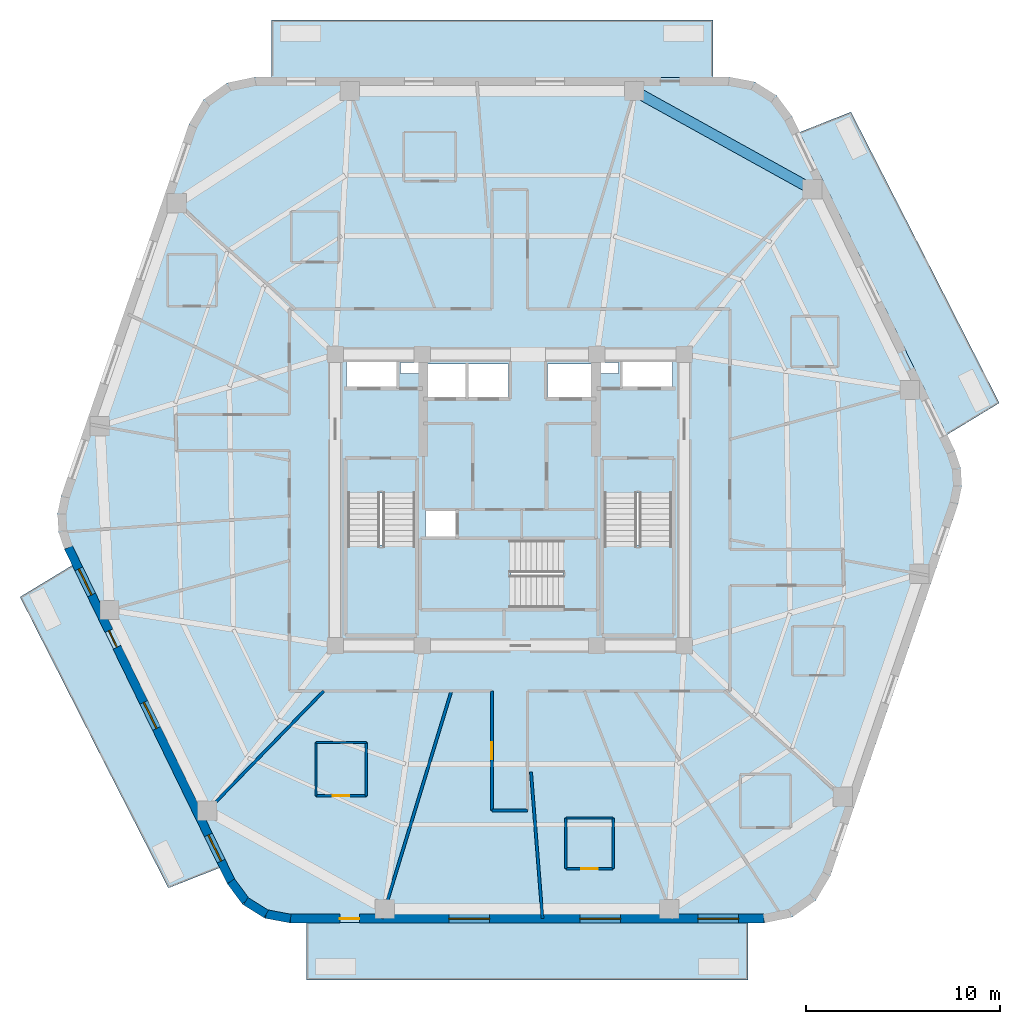
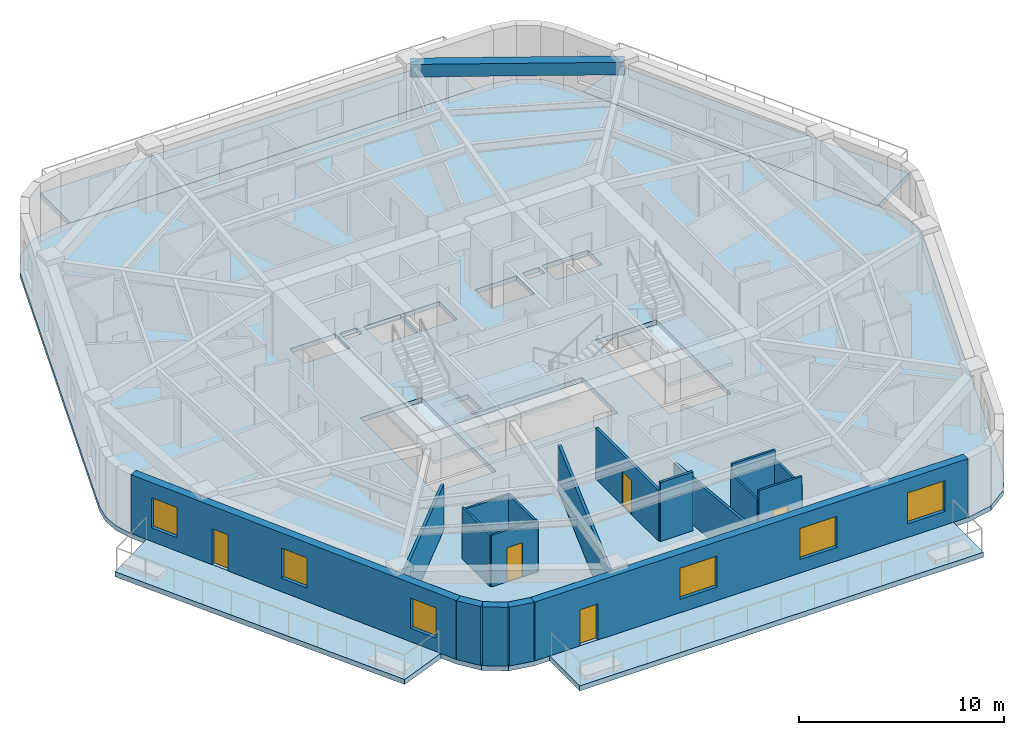
# One storey, part 2 of 10: 18 walls, 8 slabs, 6 windows, 5 doors, 1 beam, 11 openings, 3 elements without a shape of their own.
"""IFC4 building model written with IfcOpenShell, lengths in metres."""

from ifc_helpers import new_model, si_unit, direction, frame, frame_2d, origin, origin_2d, place, context, subcontext, project, spatial, polyline, rectangle, outline, extrude, material, layer, layer_set, material_profile, profile_set, type_object, element, fill, aggregate, save


model = new_model("IFC4")

# Units and contexts
model_context = context("Model", 3, precision=1e-05, world=origin(), true_north=direction((0.0, 1.0)))
body_context = subcontext(model_context, "Body", "Model", "MODEL_VIEW")
ifc_project = project(units=[si_unit("LENGTHUNIT", "METRE"), si_unit("AREAUNIT", "SQUARE_METRE"), si_unit("VOLUMEUNIT", "CUBIC_METRE"), si_unit("PLANEANGLEUNIT", "RADIAN"), si_unit("MASSUNIT", "GRAM", prefix="KILO")], contexts=[model_context])

# Site, building, storey
site_placement = place(None, origin())
site = spatial("IfcSite", under=ifc_project, at=site_placement, CompositionType="ELEMENT")
building_placement = place(site_placement, origin())
building = spatial("IfcBuilding", under=site, at=building_placement, Name="Kilnhurst Terrace Hotel", CompositionType="ELEMENT")
storey_placement = place(building_placement, frame((0.0, 0.0, 217.89990234375)))
storey = spatial("IfcBuildingStorey", under=building, at=storey_placement, Name="L54", CompositionType="ELEMENT", Elevation=217.89990234375)

# Beam
ifc_material_1 = material(Name="Concrete C50/60", Category="concrete")
ifc_material_profile = material_profile(ifc_material_1, rectangle(XDim=0.550048828125, YDim=0.75, at=origin_2d()), Name="RC550X750")
ifc_profile_set = profile_set([ifc_material_profile], Name="Concrete C50/60")
beam_type = type_object("IfcBeamType", Name="BM-SPN-550X750", PredefinedType="SPANDREL", material=ifc_profile_set)
beam_placement = place(storey_placement, frame((15.5869140625, 16.012939453125, 3.125), z_axis=(-0.874970333121, 0.484176534085, 0.0), x_axis=(-0.484176534085, -0.874970333121, 0.0)))
element("IfcBeam", 1, at=beam_placement, inside=storey, type_object=beam_type, Name="L54 Perimeter Spandrel Beam 6", PredefinedType="SPANDREL", context=body_context, shape_type="SweptSolid", body=[
    extrude(rectangle(XDim=0.550048828125, YDim=0.75, at=origin_2d()), origin(), (0.0, 0.0, 1.0), 10.465576171875),
])

# Slabs
ifc_layer_1 = layer(ifc_material_1, 0.300048828125, Name="Concrete C50/60")
ifc_layer_set_1 = layer_set([ifc_layer_1], Name="Concrete C50/60")
slab_type_1 = type_object("IfcSlabType", Name="SLB-BAL-300", PredefinedType="FLOOR", material=ifc_layer_set_1)
slab_1_placement = place(storey_placement, frame((0.0, 0.0, -0.2998046875)))
element("IfcSlab", 2, at=slab_1_placement, inside=storey, type_object=slab_type_1, Name="L54 Cantilevered Planted Terrace Slab BAL-L1A", PredefinedType="FLOOR", context=body_context, shape_type="SweptSolid", body=[
    extrude(outline(polyline([(21.440185546875, 12.465576171875), (25.237548828125, 5.0), (22.527587890625, 3.356201171875), (14.93505859375, 18.95068359375), (17.5888671875, 20.0), (21.440185546875, 12.465576171875)])), origin(), (0.0, 0.0, 1.0), 0.2998046875),
])
slab_2_placement = place(storey_placement, frame((0.0, 0.0, -0.2998046875)))
element("IfcSlab", 3, at=slab_2_placement, inside=storey, type_object=slab_type_1, Name="L54 Cantilevered Planted Terrace Slab BAL-L1B", PredefinedType="FLOOR", context=body_context, shape_type="SweptSolid", body=[
    extrude(outline(polyline([(-12.27490234375, 21.780029296875), (-12.27490234375, 24.739990234375), (10.46875, 24.739990234375), (10.46875, 21.780029296875), (-12.27490234375, 21.780029296875)])), origin(), (0.0, 0.0, 1.0), 0.2998046875),
])
slab_3_placement = place(storey_placement, frame((0.0, 0.0, -0.2998046875)))
element("IfcSlab", 4, at=slab_3_placement, inside=storey, type_object=slab_type_1, Name="L54 Cantilevered Planted Terrace Slab BAL-L2A", PredefinedType="FLOOR", context=body_context, shape_type="SweptSolid", body=[
    extrude(outline(polyline([(-25.237548828125, -5.0), (-22.527587890625, -3.356201171875), (-14.93505859375, -18.95068359375), (-17.5888671875, -20.0), (-21.440185546875, -12.465576171875), (-25.237548828125, -5.0)])), origin(), (0.0, 0.0, 1.0), 0.2998046875),
])
slab_4_placement = place(storey_placement, frame((0.0, 0.0, -0.2998046875)))
element("IfcSlab", 5, at=slab_4_placement, inside=storey, type_object=slab_type_1, Name="L54 Cantilevered Planted Terrace Slab BAL-L2B", PredefinedType="FLOOR", context=body_context, shape_type="SweptSolid", body=[
    extrude(outline(polyline([(12.27490234375, -21.780029296875), (12.27490234375, -24.739990234375), (-10.46875, -24.739990234375), (-10.46875, -21.780029296875), (12.27490234375, -21.780029296875)])), origin(), (0.0, 0.0, 1.0), 0.2998046875),
])
ifc_layer_2 = layer(ifc_material_1, 0.280029296875, Name="Concrete C50/60")
ifc_layer_set_2 = layer_set([ifc_layer_2], Name="Concrete C50/60")
slab_type_2 = type_object("IfcSlabType", Name="SLB-FLR-280", PredefinedType="FLOOR", material=ifc_layer_set_2)
slab_5_placement = place(storey_placement, frame((0.0, 0.0, -0.27978515625)))
element("IfcSlab", 6, at=slab_5_placement, inside=storey, type_object=slab_type_2, Name="L54 Structural Floor Slab", PredefinedType="FLOOR", context=body_context, shape_type="SweptSolid", body=[
    extrude(outline(polyline([(-14.555419921875, -19.77587890625), (-13.759765625, -20.845947265625), (-12.629150390625, -21.552978515625), (-11.318603515625, -21.800048828125), (13.124755859375, -21.800048828125), (14.5703125, -21.4970703125), (15.772705078125, -20.638916015625), (16.529296875, -19.370361328125), (23.1162109375, -0.208740234375), (23.302978515625, 0.710693359375), (23.24560546875, 1.6474609375), (22.948486328125, 2.537353515625), (14.555419921875, 19.77587890625), (13.759765625, 20.845947265625), (12.629150390625, 21.552978515625), (11.318603515625, 21.800048828125), (-13.124755859375, 21.800048828125), (-14.5703125, 21.4970703125), (-15.772705078125, 20.638916015625), (-16.529296875, 19.370361328125), (-23.1162109375, 0.208740234375), (-23.302978515625, -0.710693359375), (-23.24560546875, -1.6474609375), (-22.948486328125, -2.537353515625), (-14.555419921875, -19.77587890625)]), holes=[polyline([(-8.35009765625, 0.35498046875), (-4.8798828125, 0.35498046875), (-4.8798828125, -6.89990234375), (-8.35009765625, -6.89990234375), (-8.35009765625, 0.35498046875)]), polyline([(-2.800048828125, -1.89990234375), (-4.35009765625, -1.89990234375), (-4.35009765625, -0.550048828125), (-2.800048828125, -0.550048828125), (-2.800048828125, -1.89990234375)]), polyline([(-2.25, 5.25), (-4.300048828125, 5.25), (-4.300048828125, 7.0), (-2.25, 7.0), (-2.25, 5.25)]), polyline([(-2.1201171875, 5.25), (-2.1201171875, 7.0), (-0.050048828125, 7.0), (-0.050048828125, 5.25), (-2.1201171875, 5.25)]), polyline([(-8.39990234375, 5.75), (-8.39990234375, 7.14990234375), (-5.800048828125, 7.14990234375), (-5.800048828125, 5.75), (-8.39990234375, 5.75)]), polyline([(-4.659912109375, 6.52001953125), (-5.6201171875, 6.52001953125), (-5.6201171875, 7.080078125), (-4.659912109375, 7.080078125), (-4.659912109375, 6.52001953125)]), polyline([(2.7548828125, -5.550048828125), (-4.5, -5.550048828125), (-4.5, -2.080078125), (2.7548828125, -2.080078125), (2.7548828125, -5.550048828125)]), polyline([(8.35009765625, 0.35498046875), (8.35009765625, -6.89990234375), (4.8798828125, -6.89990234375), (4.8798828125, 0.35498046875), (8.35009765625, 0.35498046875)]), polyline([(4.300048828125, 5.25), (1.949951171875, 5.25), (1.949951171875, 7.0), (4.300048828125, 7.0), (4.300048828125, 5.25)]), polyline([(5.800048828125, 5.75), (5.800048828125, 7.14990234375), (8.39990234375, 7.14990234375), (8.39990234375, 5.75), (5.800048828125, 5.75)]), polyline([(4.659912109375, 6.52001953125), (4.659912109375, 7.080078125), (5.6201171875, 7.080078125), (5.6201171875, 6.52001953125), (4.659912109375, 6.52001953125)])]), origin(), (0.0, 0.0, 1.0), 0.27978515625),
])

# Stair, slab
stair_type = type_object("IfcStairType", Name="STR-CORE-1660", PredefinedType="HALF_TURN_STAIR", material=ifc_material_1)
stair_1_placement = place(storey_placement, origin())
stair_1 = element("IfcStair", 7, at=stair_1_placement, inside=storey, type_object=stair_type, Name="L54 ST-1", PredefinedType="HALF_TURN_STAIR")
ifc_layer_3 = layer(ifc_material_1, 0.199951171875, Name="Concrete C50/60")
ifc_layer_set_3 = layer_set([ifc_layer_3], Name="Concrete C50/60")
slab_type_3 = type_object("IfcSlabType", Name="SLB-ST-LND-200", PredefinedType="LANDING", material=ifc_layer_set_3)
slab_6_placement = place(storey_placement, frame((0.0, 0.0, 1.7001953125)))
slab_6 = element("IfcSlab", 8, at=slab_6_placement, type_object=slab_type_3, Name="ST-1 landing 1", PredefinedType="LANDING", context=body_context, shape_type="SweptSolid", body=[
    extrude(outline(polyline([(-8.429931640625, -2.330078125), (-4.800048828125, -2.330078125), (-4.800048828125, -6.97998046875), (-8.429931640625, -6.97998046875), (-8.429931640625, -2.330078125)])), origin(), (0.0, 0.0, 1.0), 0.199951171875),
])
aggregate(stair_1, [slab_6])

stair_2_placement = place(storey_placement, origin())
stair_2 = element("IfcStair", 9, at=stair_2_placement, inside=storey, type_object=stair_type, Name="L54 ST-2", PredefinedType="HALF_TURN_STAIR")
slab_7_placement = place(storey_placement, frame((0.0, 0.0, 1.7001953125)))
slab_7 = element("IfcSlab", 10, at=slab_7_placement, type_object=slab_type_3, Name="ST-2 landing 1", PredefinedType="LANDING", context=body_context, shape_type="SweptSolid", body=[
    extrude(outline(polyline([(4.800048828125, -2.330078125), (8.429931640625, -2.330078125), (8.429931640625, -6.97998046875), (4.800048828125, -6.97998046875), (4.800048828125, -2.330078125)])), origin(), (0.0, 0.0, 1.0), 0.199951171875),
])
aggregate(stair_2, [slab_7])

stair_3_placement = place(storey_placement, origin())
stair_3 = element("IfcStair", 11, at=stair_3_placement, inside=storey, type_object=stair_type, Name="L54 ST-3", PredefinedType="HALF_TURN_STAIR")
slab_8_placement = place(storey_placement, frame((0.0, 0.0, 1.7001953125)))
slab_8 = element("IfcSlab", 12, at=slab_8_placement, type_object=slab_type_3, Name="ST-3 landing 1", PredefinedType="LANDING", context=body_context, shape_type="SweptSolid", body=[
    extrude(outline(polyline([(0.070068359375, -2.0), (0.070068359375, -5.6298828125), (-4.580078125, -5.6298828125), (-4.580078125, -2.0), (0.070068359375, -2.0)])), origin(), (0.0, 0.0, 1.0), 0.199951171875),
])
aggregate(stair_3, [slab_8])

# Walls
ifc_material_2 = material(Name="Precast concrete C40/50", Category="concrete")
ifc_layer_4 = layer(ifc_material_2, 0.449951171875, Name="Precast concrete C40/50")
ifc_layer_set_4 = layer_set([ifc_layer_4], Name="Precast concrete C40/50")
wall_type_1 = type_object("IfcWallType", Name="WL-BRK-450", PredefinedType="SOLIDWALL", material=ifc_layer_set_4)
wall_1_placement = place(storey_placement, frame((-14.3623046875, -19.658447265625, 0.0), z_axis=(0.0, 0.0, 1.0), x_axis=(0.596642462792, -0.80250717853, 0.0)))
element("IfcWall", 13, at=wall_1_placement, inside=storey, type_object=wall_type_1, Name="L54 Rounded Corner Brick Wall C1.1", PredefinedType="SOLIDWALL", context=body_context, shape_type="SweptSolid", body=[
    extrude(rectangle(XDim=1.27001953125, YDim=0.449951171875, at=frame_2d((0.635009765625, 0.0))), origin(), (0.0, 0.0, 1.0), 3.5),
])
wall_2_placement = place(storey_placement, frame((-13.6044921875, -20.677734375, 0.0), z_axis=(0.0, 0.0, 1.0), x_axis=(0.847910404124, -0.53013955387, 0.0)))
element("IfcWall", 14, at=wall_2_placement, inside=storey, type_object=wall_type_1, Name="L54 Rounded Corner Brick Wall C1.2", PredefinedType="SOLIDWALL", context=body_context, shape_type="SweptSolid", body=[
    extrude(rectangle(XDim=1.24853515625, YDim=0.449951171875, at=frame_2d((0.624267578125, 0.0))), origin(), (0.0, 0.0, 1.0), 3.5),
])
wall_3_placement = place(storey_placement, frame((-12.5458984375, -21.339599609375, 0.0), z_axis=(0.0, 0.0, 1.0), x_axis=(0.982686750835, -0.18527479519, 0.0)))
element("IfcWall", 15, at=wall_3_placement, inside=storey, type_object=wall_type_1, Name="L54 Rounded Corner Brick Wall C1.3", PredefinedType="SOLIDWALL", context=body_context, shape_type="SweptSolid", body=[
    extrude(rectangle(XDim=1.270263671875, YDim=0.449951171875, at=frame_2d((0.63525390625, 0.0))), origin(), (0.0, 0.0, 1.0), 3.5),
])

# Wall, openings, door, windows
wall_4_placement = place(storey_placement, frame((-11.297607421875, -21.574951171875, 0.0), z_axis=(0.0, 0.0, 1.0), x_axis=(1.0, 0.0, 0.0)))
wall_4 = element("IfcWall", 16, at=wall_4_placement, inside=storey, type_object=wall_type_1, Name="L54 Exterior Brick Facade Wall F1", PredefinedType="SOLIDWALL", context=body_context, shape_type="SweptSolid", body=[
    extrude(rectangle(XDim=24.399169921875, YDim=0.449951171875, at=frame_2d((12.19970703125, 0.0))), origin(), (0.0, 0.0, 1.0), 3.5),
])
opening_1_placement = place(wall_4_placement, frame((2.550048828125, 0.0, 0.0)))
opening_1 = element("IfcOpeningElement", 17, at=opening_1_placement, cuts=wall_4, Name="Opening BD-1000", PredefinedType="OPENING", context=body_context, shape_type="SweptSolid", body=[
    extrude(rectangle(XDim=1.0, YDim=2.14990234375, at=frame_2d((0.5, 1.074951171875))), frame((0.0, 0.23486328125, 0.0), z_axis=(0.0, -1.0, 0.0), x_axis=(1.0, 0.0, 0.0)), (0.0, 0.0, 1.0), 0.469970703125),
])
opening_2_placement = place(wall_4_placement, frame((8.1689453125, 0.0, 0.800048828125)))
opening_2 = element("IfcOpeningElement", 18, at=opening_2_placement, cuts=wall_4, Name="Opening W-04", PredefinedType="OPENING", context=body_context, shape_type="SweptSolid", body=[
    extrude(rectangle(XDim=2.10009765625, YDim=1.85009765625, at=frame_2d((1.050048828125, 0.925048828125))), frame((0.0, 0.23486328125, 0.0), z_axis=(0.0, -1.0, 0.0), x_axis=(1.0, 0.0, 0.0)), (0.0, 0.0, 1.0), 0.469970703125),
])
opening_3_placement = place(wall_4_placement, frame((14.922119140625, 0.0, 0.800048828125)))
opening_3 = element("IfcOpeningElement", 19, at=opening_3_placement, cuts=wall_4, Name="Opening W-04", PredefinedType="OPENING", context=body_context, shape_type="SweptSolid", body=[
    extrude(rectangle(XDim=2.10009765625, YDim=1.85009765625, at=frame_2d((1.050048828125, 0.925048828125))), frame((0.0, 0.23486328125, 0.0), z_axis=(0.0, -1.0, 0.0), x_axis=(1.0, 0.0, 0.0)), (0.0, 0.0, 1.0), 0.469970703125),
])
opening_4_placement = place(wall_4_placement, frame((20.99609375, 0.0, 0.800048828125)))
opening_4 = element("IfcOpeningElement", 20, at=opening_4_placement, cuts=wall_4, Name="Opening W-04", PredefinedType="OPENING", context=body_context, shape_type="SweptSolid", body=[
    extrude(rectangle(XDim=2.10009765625, YDim=1.85009765625, at=frame_2d((1.050048828125, 0.925048828125))), frame((0.0, 0.23486328125, 0.0), z_axis=(0.0, -1.0, 0.0), x_axis=(1.0, 0.0, 0.0)), (0.0, 0.0, 1.0), 0.469970703125),
])
ifc_material_3 = material(Name="Thermally Broken Bronze Aluminium Alloy 6063-T6 and Laminated Glass", Category="aluminium")
door_type_1 = type_object("IfcDoorType", Name="DR-EXT-BAL-1000", OperationType="NOTDEFINED", PredefinedType="DOOR", material=ifc_material_3)
door_1_placement = place(opening_1_placement, origin())
door_1 = element("IfcDoor", 21, at=door_1_placement, inside=storey, type_object=door_type_1, Name="L54 Planted Balcony Door BAL-L2B", OperationType="SINGLE_SWING_LEFT", OverallHeight=2.14990234375, OverallWidth=1.0, PredefinedType="DOOR", context=body_context, shape_type="SweptSolid", body=[
    extrude(rectangle(XDim=1.0, YDim=2.14990234375, at=frame_2d((0.5, 1.074951171875))), frame((0.0, 0.02490234375, 0.0), z_axis=(0.0, -1.0, 0.0), x_axis=(1.0, 0.0, 0.0)), (0.0, 0.0, 1.0), 0.050048828125),
])
fill(opening_1, door_1)
ifc_material_4 = material(Name="Thermally Broken Bronze Aluminium Alloy 6063-T6 and Low-E Glass", Category="aluminium")
window_type_1 = type_object("IfcWindowType", Name="WIN-2100X1850", PartitioningType="SINGLE_PANEL", PredefinedType="WINDOW", material=ifc_material_4)
window_1_placement = place(opening_2_placement, origin())
window_1 = element("IfcWindow", 22, at=window_1_placement, inside=storey, type_object=window_type_1, Name="L54 Deep-Set Masonry Window F1.1", OverallHeight=1.85009765625, OverallWidth=2.10009765625, PartitioningType="SINGLE_PANEL", PredefinedType="WINDOW", context=body_context, shape_type="SweptSolid", body=[
    extrude(rectangle(XDim=2.10009765625, YDim=1.85009765625, at=frame_2d((1.050048828125, 0.925048828125))), frame((0.0, 0.030029296875, 0.0), z_axis=(0.0, -1.0, 0.0), x_axis=(1.0, 0.0, 0.0)), (0.0, 0.0, 1.0), 0.06005859375),
])
fill(opening_2, window_1)
window_2_placement = place(opening_3_placement, origin())
window_2 = element("IfcWindow", 23, at=window_2_placement, inside=storey, type_object=window_type_1, Name="L54 Deep-Set Masonry Window F1.2", OverallHeight=1.85009765625, OverallWidth=2.10009765625, PartitioningType="SINGLE_PANEL", PredefinedType="WINDOW", context=body_context, shape_type="SweptSolid", body=[
    extrude(rectangle(XDim=2.10009765625, YDim=1.85009765625, at=frame_2d((1.050048828125, 0.925048828125))), frame((0.0, 0.030029296875, 0.0), z_axis=(0.0, -1.0, 0.0), x_axis=(1.0, 0.0, 0.0)), (0.0, 0.0, 1.0), 0.06005859375),
])
fill(opening_3, window_2)
window_3_placement = place(opening_4_placement, origin())
window_3 = element("IfcWindow", 24, at=window_3_placement, inside=storey, type_object=window_type_1, Name="L54 Deep-Set Masonry Window F1.3", OverallHeight=1.85009765625, OverallWidth=2.10009765625, PartitioningType="SINGLE_PANEL", PredefinedType="WINDOW", context=body_context, shape_type="SweptSolid", body=[
    extrude(rectangle(XDim=2.10009765625, YDim=1.85009765625, at=frame_2d((1.050048828125, 0.925048828125))), frame((0.0, 0.030029296875, 0.0), z_axis=(0.0, -1.0, 0.0), x_axis=(1.0, 0.0, 0.0)), (0.0, 0.0, 1.0), 0.06005859375),
])
fill(opening_4, window_3)

wall_5_placement = place(storey_placement, frame((-22.73974609375, -2.4521484375, 0.0), z_axis=(0.0, 0.0, 1.0), x_axis=(0.437753424814, -0.899095066755, 0.0)))
wall_5 = element("IfcWall", 25, at=wall_5_placement, inside=storey, type_object=wall_type_1, Name="L54 Exterior Brick Facade Wall F6", PredefinedType="SOLIDWALL", context=body_context, shape_type="SweptSolid", body=[
    extrude(rectangle(XDim=19.137451171875, YDim=0.449951171875, at=frame_2d((9.56884765625, 0.0))), origin(), (0.0, 0.0, 1.0), 3.5),
])
opening_5_placement = place(wall_5_placement, frame((4.762939453125, 0.0, 0.0)))
opening_5 = element("IfcOpeningElement", 26, at=opening_5_placement, cuts=wall_5, Name="Opening BD-950", PredefinedType="OPENING", context=body_context, shape_type="SweptSolid", body=[
    extrude(rectangle(XDim=0.949951171875, YDim=2.14990234375, at=frame_2d((0.47509765625, 1.074951171875))), frame((0.0, 0.23486328125, 0.0), z_axis=(0.0, -1.0, 0.0), x_axis=(1.0, 0.0, 0.0)), (0.0, 0.0, 1.0), 0.469970703125),
])
opening_6_placement = place(wall_5_placement, frame((1.216064453125, 0.0, 0.800048828125)))
opening_6 = element("IfcOpeningElement", 27, at=opening_6_placement, cuts=wall_5, Name="Opening W-02", PredefinedType="OPENING", context=body_context, shape_type="SweptSolid", body=[
    extrude(rectangle(XDim=1.5, YDim=1.800048828125, at=frame_2d((0.75, 0.89990234375))), frame((0.0, 0.23486328125, 0.0), z_axis=(0.0, -1.0, 0.0), x_axis=(1.0, 0.0, 0.0)), (0.0, 0.0, 1.0), 0.469970703125),
])
opening_7_placement = place(wall_5_placement, frame((8.8701171875, 0.0, 0.800048828125)))
opening_7 = element("IfcOpeningElement", 28, at=opening_7_placement, cuts=wall_5, Name="Opening W-02", PredefinedType="OPENING", context=body_context, shape_type="SweptSolid", body=[
    extrude(rectangle(XDim=1.5, YDim=1.800048828125, at=frame_2d((0.75, 0.89990234375))), frame((0.0, 0.23486328125, 0.0), z_axis=(0.0, -1.0, 0.0), x_axis=(1.0, 0.0, 0.0)), (0.0, 0.0, 1.0), 0.469970703125),
])
opening_8_placement = place(wall_5_placement, frame((16.472900390625, 0.0, 0.800048828125)))
opening_8 = element("IfcOpeningElement", 29, at=opening_8_placement, cuts=wall_5, Name="Opening W-02", PredefinedType="OPENING", context=body_context, shape_type="SweptSolid", body=[
    extrude(rectangle(XDim=1.5, YDim=1.800048828125, at=frame_2d((0.75, 0.89990234375))), frame((0.0, 0.23486328125, 0.0), z_axis=(0.0, -1.0, 0.0), x_axis=(1.0, 0.0, 0.0)), (0.0, 0.0, 1.0), 0.469970703125),
])
door_type_2 = type_object("IfcDoorType", Name="DR-EXT-BAL-950", OperationType="NOTDEFINED", PredefinedType="DOOR", material=ifc_material_3)
door_2_placement = place(opening_5_placement, origin())
door_2 = element("IfcDoor", 30, at=door_2_placement, inside=storey, type_object=door_type_2, Name="L54 Planted Balcony Door BAL-L2A", OperationType="SINGLE_SWING_RIGHT", OverallHeight=2.14990234375, OverallWidth=0.949951171875, PredefinedType="DOOR", context=body_context, shape_type="SweptSolid", body=[
    extrude(rectangle(XDim=0.949951171875, YDim=2.14990234375, at=frame_2d((0.47509765625, 1.074951171875))), frame((0.0, 0.02490234375, 0.0), z_axis=(0.0, -1.0, 0.0), x_axis=(1.0, 0.0, 0.0)), (0.0, 0.0, 1.0), 0.050048828125),
])
fill(opening_5, door_2)
window_type_2 = type_object("IfcWindowType", Name="WIN-1500X1800", PartitioningType="SINGLE_PANEL", PredefinedType="WINDOW", material=ifc_material_4)
window_4_placement = place(opening_6_placement, origin())
window_4 = element("IfcWindow", 31, at=window_4_placement, inside=storey, type_object=window_type_2, Name="L54 Deep-Set Masonry Window F6.1", OverallHeight=1.800048828125, OverallWidth=1.5, PartitioningType="SINGLE_PANEL", PredefinedType="WINDOW", context=body_context, shape_type="SweptSolid", body=[
    extrude(rectangle(XDim=1.5, YDim=1.800048828125, at=frame_2d((0.75, 0.89990234375))), frame((0.0, 0.030029296875, 0.0), z_axis=(0.0, -1.0, 0.0), x_axis=(1.0, 0.0, 0.0)), (0.0, 0.0, 1.0), 0.06005859375),
])
fill(opening_6, window_4)
window_5_placement = place(opening_7_placement, origin())
window_5 = element("IfcWindow", 32, at=window_5_placement, inside=storey, type_object=window_type_2, Name="L54 Deep-Set Masonry Window F6.2", OverallHeight=1.800048828125, OverallWidth=1.5, PartitioningType="SINGLE_PANEL", PredefinedType="WINDOW", context=body_context, shape_type="SweptSolid", body=[
    extrude(rectangle(XDim=1.5, YDim=1.800048828125, at=frame_2d((0.75, 0.89990234375))), frame((0.0, 0.030029296875, 0.0), z_axis=(0.0, -1.0, 0.0), x_axis=(1.0, 0.0, 0.0)), (0.0, 0.0, 1.0), 0.06005859375),
])
fill(opening_7, window_5)
window_6_placement = place(opening_8_placement, origin())
window_6 = element("IfcWindow", 33, at=window_6_placement, inside=storey, type_object=window_type_2, Name="L54 Deep-Set Masonry Window F6.3", OverallHeight=1.800048828125, OverallWidth=1.5, PartitioningType="SINGLE_PANEL", PredefinedType="WINDOW", context=body_context, shape_type="SweptSolid", body=[
    extrude(rectangle(XDim=1.5, YDim=1.800048828125, at=frame_2d((0.75, 0.89990234375))), frame((0.0, 0.030029296875, 0.0), z_axis=(0.0, -1.0, 0.0), x_axis=(1.0, 0.0, 0.0)), (0.0, 0.0, 1.0), 0.06005859375),
])
fill(opening_8, window_6)

# Wall
ifc_material_5 = material(Name="Acoustic Double-Gypsum Corridor Partition Assembly")
ifc_layer_5 = layer(ifc_material_5, 0.14990234375, Name="Acoustic Double-Gypsum Corridor Partition Assembly")
ifc_layer_set_5 = layer_set([ifc_layer_5], Name="Acoustic Double-Gypsum Corridor Partition Assembly")
wall_type_2 = type_object("IfcWallType", Name="WL-COR-150", PredefinedType="PARTITIONING", material=ifc_layer_set_5)
wall_6_placement = place(storey_placement, frame((0.919921875, -16.0, 0.0), z_axis=(0.0, 0.0, 1.0), x_axis=(-1.0, 0.0, 0.0)))
element("IfcWall", 34, at=wall_6_placement, inside=storey, type_object=wall_type_2, Name="L54 Interior Wall WL-L54-COR-18", PredefinedType="PARTITIONING", context=body_context, shape_type="SweptSolid", body=[
    extrude(rectangle(XDim=1.83984375, YDim=0.14990234375, at=frame_2d((0.919921875, 0.0))), origin(), (0.0, 0.0, 1.0), 3.5),
])

# Wall, opening, door
wall_7_placement = place(storey_placement, frame((-0.919921875, -16.0, 0.0), z_axis=(0.0, 0.0, 1.0), x_axis=(0.0, 1.0, 0.0)))
wall_7 = element("IfcWall", 35, at=wall_7_placement, inside=storey, type_object=wall_type_2, Name="L54 Interior Wall WL-L54-COR-19", PredefinedType="PARTITIONING", context=body_context, shape_type="SweptSolid", body=[
    extrude(rectangle(XDim=6.14990234375, YDim=0.14990234375, at=frame_2d((3.074951171875, 0.0))), origin(), (0.0, 0.0, 1.0), 3.026611328125),
])
opening_9_placement = place(wall_7_placement, frame((2.625, 0.0, 0.0)))
opening_9 = element("IfcOpeningElement", 36, at=opening_9_placement, cuts=wall_7, Name="Opening D-60C", PredefinedType="OPENING", context=body_context, shape_type="SweptSolid", body=[
    extrude(rectangle(XDim=0.89990234375, YDim=2.030029296875, at=frame_2d((0.449951171875, 1.01513671875))), frame((0.0, 0.0849609375, 0.0), z_axis=(0.0, -1.0, 0.0), x_axis=(1.0, 0.0, 0.0)), (0.0, 0.0, 1.0), 0.169921875),
])
ifc_material_6 = material(Name="Painted Solid-Core Service Fire Door")
door_type_3 = type_object("IfcDoorType", Name="DR-FD60-900", OperationType="NOTDEFINED", PredefinedType="DOOR", material=ifc_material_6)
door_3_placement = place(opening_9_placement, origin())
door_3 = element("IfcDoor", 37, at=door_3_placement, inside=storey, type_object=door_type_3, Name="L54 Wellness Consultation Room Door 12", OperationType="SINGLE_SWING_RIGHT", OverallHeight=2.030029296875, OverallWidth=0.89990234375, PredefinedType="DOOR", context=body_context, shape_type="SweptSolid", body=[
    extrude(rectangle(XDim=0.89990234375, YDim=2.030029296875, at=frame_2d((0.449951171875, 1.01513671875))), frame((0.0, 0.02490234375, 0.0), z_axis=(0.0, -1.0, 0.0), x_axis=(1.0, 0.0, 0.0)), (0.0, 0.0, 1.0), 0.050048828125),
])
fill(opening_9, door_3)

# Walls
ifc_material_7 = material(Name="STC-58 Acoustic Twin-Frame Guestroom Demising Partition")
ifc_layer_6 = layer(ifc_material_7, 0.14990234375, Name="STC-58 Acoustic Twin-Frame Guestroom Demising Partition")
ifc_layer_set_6 = layer_set([ifc_layer_6], Name="STC-58 Acoustic Twin-Frame Guestroom Demising Partition")
wall_type_3 = type_object("IfcWallType", Name="WL-DEM-150", PredefinedType="PARTITIONING", material=ifc_layer_set_6)
wall_8_placement = place(storey_placement, frame((-9.587890625, -9.85009765625, 0.0), z_axis=(0.0, 0.0, 1.0), x_axis=(-0.697519469595, -0.716565830567, 0.0)))
element("IfcWall", 38, at=wall_8_placement, inside=storey, type_object=wall_type_3, Name="L54 Interior Wall WL-L54-DEM-COL08-11-1", PredefinedType="PARTITIONING", context=body_context, shape_type="SweptSolid", body=[
    extrude(rectangle(XDim=9.12646484375, YDim=0.14990234375, at=frame_2d((4.563232421875, 0.0))), origin(), (0.0, 0.0, 1.0), 2.739990234375),
])
wall_9_placement = place(storey_placement, frame((-3.00439453125, -9.85009765625, 0.0), z_axis=(0.0, 0.0, 1.0), x_axis=(-0.291775760688, -0.956486751333, 0.0)))
element("IfcWall", 39, at=wall_9_placement, inside=storey, type_object=wall_type_3, Name="L54 Interior Wall WL-L54-DEM-COL09-12-1", PredefinedType="PARTITIONING", context=body_context, shape_type="SweptSolid", body=[
    extrude(rectangle(XDim=12.25830078125, YDim=0.14990234375, at=frame_2d((6.129150390625, 0.0))), origin(), (0.0, 0.0, 1.0), 2.739990234375),
])
wall_10_placement = place(storey_placement, frame((1.10009765625, -14.017578125, 0.0), z_axis=(0.0, 0.0, 1.0), x_axis=(0.078228275349, -0.996935472804, 0.0)))
element("IfcWall", 40, at=wall_10_placement, inside=storey, type_object=wall_type_3, Name="L54 Interior Wall WL-L54-DEM-MID09-13-1", PredefinedType="PARTITIONING", context=body_context, shape_type="SweptSolid", body=[
    extrude(rectangle(XDim=7.58056640625, YDim=0.14990234375, at=frame_2d((3.790283203125, 0.0))), origin(), (0.0, 0.0, 1.0), 2.739990234375),
])

# Wall, opening, door
ifc_material_8 = material(Name="120 mm Moisture-Resistant Tile-Backed Bathroom Partition")
ifc_layer_7 = layer(ifc_material_8, 0.1201171875, Name="120 mm Moisture-Resistant Tile-Backed Bathroom Partition")
ifc_layer_set_7 = layer_set([ifc_layer_7], Name="120 mm Moisture-Resistant Tile-Backed Bathroom Partition")
wall_type_4 = type_object("IfcWallType", Name="WL-PART-120", PredefinedType="PARTITIONING", material=ifc_layer_set_7)
wall_11_placement = place(storey_placement, frame((-9.98291015625, -15.2470703125, 0.0), z_axis=(0.0, 0.0, 1.0), x_axis=(1.0, 0.0, 0.0)))
wall_11 = element("IfcWall", 41, at=wall_11_placement, inside=storey, type_object=wall_type_4, Name="L54 Interior Wall WL-L54-BTH-11-1", PredefinedType="PARTITIONING", context=body_context, shape_type="SweptSolid", body=[
    extrude(rectangle(XDim=2.599853515625, YDim=0.1201171875, at=frame_2d((1.2998046875, 0.0))), origin(), (0.0, 0.0, 1.0), 3.072509765625),
])
opening_10_placement = place(wall_11_placement, frame((0.875, 0.0, 0.0)))
opening_10 = element("IfcOpeningElement", 42, at=opening_10_placement, cuts=wall_11, Name="Opening D-08A", PredefinedType="OPENING", context=body_context, shape_type="SweptSolid", body=[
    extrude(rectangle(XDim=0.85009765625, YDim=2.030029296875, at=frame_2d((0.425048828125, 1.01513671875))), frame((0.0, 0.070068359375, 0.0), z_axis=(0.0, -1.0, 0.0), x_axis=(1.0, 0.0, 0.0)), (0.0, 0.0, 1.0), 0.14013671875),
])
ifc_material_9 = material(Name="Moisture-Resistant Lacquered En-suite Bathroom Door")
door_type_4 = type_object("IfcDoorType", Name="DR-INT-850", OperationType="NOTDEFINED", PredefinedType="DOOR", material=ifc_material_9)
door_4_placement = place(opening_10_placement, origin())
door_4 = element("IfcDoor", 43, at=door_4_placement, inside=storey, type_object=door_type_4, Name="L54 En-suite Bathroom Door 11", OperationType="SINGLE_SWING_RIGHT", OverallHeight=2.030029296875, OverallWidth=0.85009765625, PredefinedType="DOOR", context=body_context, shape_type="SweptSolid", body=[
    extrude(rectangle(XDim=0.85009765625, YDim=2.030029296875, at=frame_2d((0.425048828125, 1.01513671875))), frame((0.0, 0.02490234375, 0.0), z_axis=(0.0, -1.0, 0.0), x_axis=(1.0, 0.0, 0.0)), (0.0, 0.0, 1.0), 0.050048828125),
])
fill(opening_10, door_4)

# Walls
wall_12_placement = place(storey_placement, frame((-7.383056640625, -15.2470703125, 0.0), z_axis=(0.0, 0.0, 1.0), x_axis=(0.0, 1.0, 0.0)))
element("IfcWall", 44, at=wall_12_placement, inside=storey, type_object=wall_type_4, Name="L54 Interior Wall WL-L54-BTH-11-2", PredefinedType="PARTITIONING", context=body_context, shape_type="SweptSolid", body=[
    extrude(rectangle(XDim=2.75, YDim=0.1201171875, at=frame_2d((1.375, 0.0))), origin(), (0.0, 0.0, 1.0), 2.940673828125),
])
wall_13_placement = place(storey_placement, frame((-7.383056640625, -12.4970703125, 0.0), z_axis=(0.0, 0.0, 1.0), x_axis=(-1.0, 0.0, 0.0)))
element("IfcWall", 45, at=wall_13_placement, inside=storey, type_object=wall_type_4, Name="L54 Interior Wall WL-L54-BTH-11-3", PredefinedType="PARTITIONING", context=body_context, shape_type="SweptSolid", body=[
    extrude(rectangle(XDim=2.599853515625, YDim=0.1201171875, at=frame_2d((1.2998046875, 0.0))), origin(), (0.0, 0.0, 1.0), 2.940673828125),
])
wall_14_placement = place(storey_placement, frame((-9.98291015625, -12.4970703125, 0.0), z_axis=(0.0, 0.0, 1.0), x_axis=(0.0, -1.0, 0.0)))
element("IfcWall", 46, at=wall_14_placement, inside=storey, type_object=wall_type_4, Name="L54 Interior Wall WL-L54-BTH-11-4", PredefinedType="PARTITIONING", context=body_context, shape_type="SweptSolid", body=[
    extrude(rectangle(XDim=2.75, YDim=0.1201171875, at=frame_2d((1.375, 0.0))), origin(), (0.0, 0.0, 1.0), 3.072509765625),
])

# Wall, opening, door
wall_15_placement = place(storey_placement, frame((2.89404296875, -19.001953125, 0.0), z_axis=(0.0, 0.0, 1.0), x_axis=(1.0, 0.0, 0.0)))
wall_15 = element("IfcWall", 47, at=wall_15_placement, inside=storey, type_object=wall_type_4, Name="L54 Interior Wall WL-L54-BTH-13-1", PredefinedType="PARTITIONING", context=body_context, shape_type="SweptSolid", body=[
    extrude(rectangle(XDim=2.43994140625, YDim=0.1201171875, at=frame_2d((1.219970703125, 0.0))), origin(), (0.0, 0.0, 1.0), 3.5),
])
opening_11_placement = place(wall_15_placement, frame((0.794921875, 0.0, 0.0)))
opening_11 = element("IfcOpeningElement", 48, at=opening_11_placement, cuts=wall_15, Name="Opening D-08A", PredefinedType="OPENING", context=body_context, shape_type="SweptSolid", body=[
    extrude(rectangle(XDim=0.85009765625, YDim=2.030029296875, at=frame_2d((0.425048828125, 1.01513671875))), frame((0.0, 0.070068359375, 0.0), z_axis=(0.0, -1.0, 0.0), x_axis=(1.0, 0.0, 0.0)), (0.0, 0.0, 1.0), 0.14013671875),
])
door_5_placement = place(opening_11_placement, origin())
door_5 = element("IfcDoor", 49, at=door_5_placement, inside=storey, type_object=door_type_4, Name="L54 En-suite Bathroom Door 13", OperationType="SINGLE_SWING_RIGHT", OverallHeight=2.030029296875, OverallWidth=0.85009765625, PredefinedType="DOOR", context=body_context, shape_type="SweptSolid", body=[
    extrude(rectangle(XDim=0.85009765625, YDim=2.030029296875, at=frame_2d((0.425048828125, 1.01513671875))), frame((0.0, 0.02490234375, 0.0), z_axis=(0.0, -1.0, 0.0), x_axis=(1.0, 0.0, 0.0)), (0.0, 0.0, 1.0), 0.050048828125),
])
fill(opening_11, door_5)

# Walls
wall_16_placement = place(storey_placement, frame((5.333984375, -19.001953125, 0.0), z_axis=(0.0, 0.0, 1.0), x_axis=(0.0, 1.0, 0.0)))
element("IfcWall", 50, at=wall_16_placement, inside=storey, type_object=wall_type_4, Name="L54 Interior Wall WL-L54-BTH-13-2", PredefinedType="PARTITIONING", context=body_context, shape_type="SweptSolid", body=[
    extrude(rectangle(XDim=2.60986328125, YDim=0.1201171875, at=frame_2d((1.304931640625, 0.0))), origin(), (0.0, 0.0, 1.0), 2.940673828125),
])
wall_17_placement = place(storey_placement, frame((5.333984375, -16.39208984375, 0.0), z_axis=(0.0, 0.0, 1.0), x_axis=(-1.0, 0.0, 0.0)))
element("IfcWall", 51, at=wall_17_placement, inside=storey, type_object=wall_type_4, Name="L54 Interior Wall WL-L54-BTH-13-3", PredefinedType="PARTITIONING", context=body_context, shape_type="SweptSolid", body=[
    extrude(rectangle(XDim=2.43994140625, YDim=0.1201171875, at=frame_2d((1.219970703125, 0.0))), origin(), (0.0, 0.0, 1.0), 3.5),
])
wall_18_placement = place(storey_placement, frame((2.89404296875, -16.39208984375, 0.0), z_axis=(0.0, 0.0, 1.0), x_axis=(0.0, -1.0, 0.0)))
element("IfcWall", 52, at=wall_18_placement, inside=storey, type_object=wall_type_4, Name="L54 Interior Wall WL-L54-BTH-13-4", PredefinedType="PARTITIONING", context=body_context, shape_type="SweptSolid", body=[
    extrude(rectangle(XDim=2.60986328125, YDim=0.1201171875, at=frame_2d((1.304931640625, 0.0))), origin(), (0.0, 0.0, 1.0), 2.940673828125),
])

save(model, "model.ifc")
